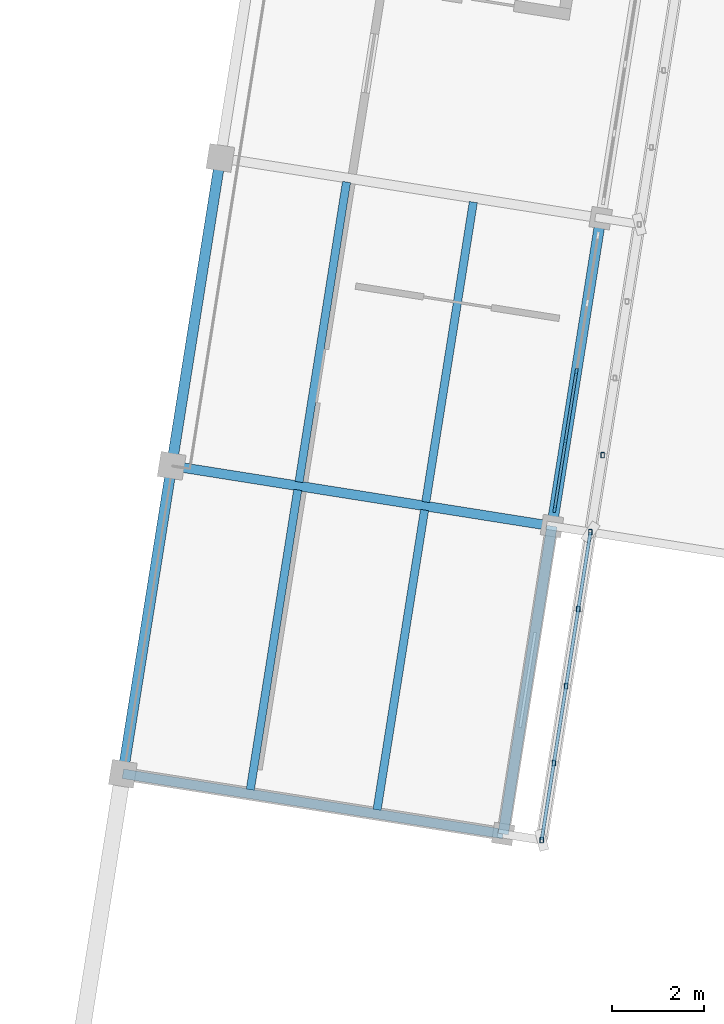
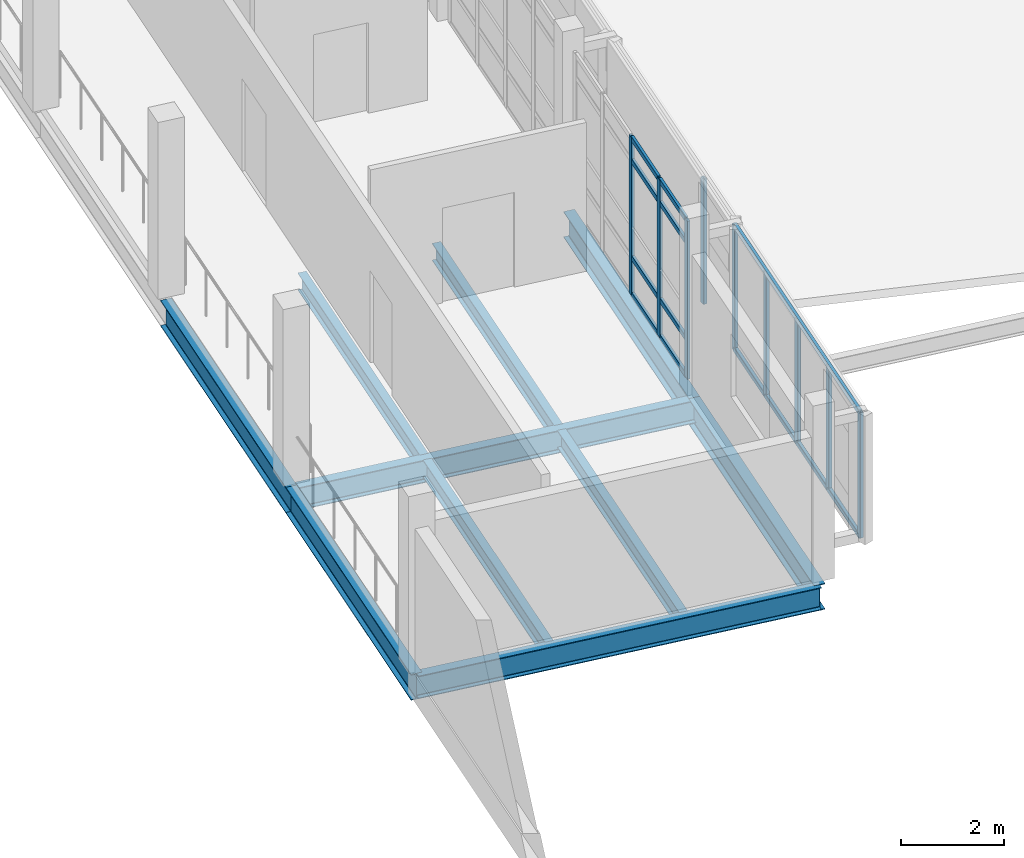
# One storey, part 79 of 137: 19 members, 10 beams, 1 element without a shape of its own.
"""IFC4 building model written with IfcOpenShell, lengths in metres."""

import ifcopenshell
import ifcopenshell.guid

model = None  # the IFC model being written
_history = None  # IfcOwnerHistory: only IFC2X3 demands one
_inside = {}  # id of a spatial element -> (the spatial element, [elements in it])
_under = {}  # id of a project, library or spatial element -> (it, [spatial elements below it])
_declared = {}  # id of a project -> (the project, [libraries it declares])
_typed = {}  # id of a type object -> (the type object, [elements of that type])
_made_of = {}  # id of a material, layer set ... -> (it, [elements and type objects made of it])


def new_model(schema):
    """Start an empty IFC model of exactly this schema.

    Asked for "IFC4X3", IfcOpenShell would pick the latest addendum, in which some entities
    have other attributes; the version numbers below select the first issue.
    IFC2X3 requires an IfcOwnerHistory on every rooted entity: one is made here for all.
    """
    global model, _history
    if schema == "IFC4X3":
        model = ifcopenshell.file(schema_version=(4, 3, 0, 0))
    else:
        model = ifcopenshell.file(schema=schema)
    _inside.clear()
    _under.clear()
    _declared.clear()
    _typed.clear()
    _made_of.clear()
    _history = None
    if model.schema == "IFC2X3":
        org = make("IfcOrganization", Name="unknown")
        user = make(
            "IfcPersonAndOrganization",
            ThePerson=make("IfcPerson", FamilyName="unknown"),
            TheOrganization=org,
        )
        app = make(
            "IfcApplication",
            ApplicationDeveloper=org,
            Version="unknown",
            ApplicationFullName="unknown",
            ApplicationIdentifier="unknown",
        )
        _history = make(
            "IfcOwnerHistory",
            OwningUser=user,
            OwningApplication=app,
            ChangeAction="ADDED",
            CreationDate=0,
        )
    return model


def make(cls, **values):
    """One entity of the class cls with the attributes given. An attribute that is None is left unset."""
    return model.create_entity(
        cls, **{name: value for name, value in values.items() if value is not None}
    )


def rooted(cls, **values):
    """An entity with a GlobalId (a new one), such as an element, a storey or a relation."""
    return make(cls, GlobalId=ifcopenshell.guid.new(), OwnerHistory=_history, **values)


def si_unit(unit_type, name, prefix=None):
    """IfcSIUnit, for example si_unit("LENGTHUNIT", "METRE", prefix="MILLI")."""
    return make("IfcSIUnit", UnitType=unit_type, Prefix=prefix, Name=name)


def assignment(units):
    """IfcUnitAssignment: the units of a project."""
    return None if units is None else make("IfcUnitAssignment", Units=units)


def point(xyz):
    """IfcCartesianPoint."""
    return None if xyz is None else make("IfcCartesianPoint", Coordinates=xyz)


def direction(xyz):
    """IfcDirection."""
    return None if xyz is None else make("IfcDirection", DirectionRatios=xyz)


def frame(location, z_axis=None, x_axis=None):
    """IfcAxis2Placement3D, a coordinate frame: its origin and axes. An axis left out is left unset."""
    return make(
        "IfcAxis2Placement3D",
        Location=point(location),
        Axis=direction(z_axis),
        RefDirection=direction(x_axis),
    )


def frame_2d(location, x_axis=None):
    """IfcAxis2Placement2D, a coordinate frame in the plane: its origin and x axis."""
    return make(
        "IfcAxis2Placement2D", Location=point(location), RefDirection=direction(x_axis)
    )


def origin():
    """The frame at (0, 0, 0) with its axes left unset."""
    return frame((0.0, 0.0, 0.0))


def origin_2d():
    """The frame at (0, 0) in the plane with its x axis left unset."""
    return frame_2d((0.0, 0.0))


def place(relative_to, where):
    """IfcLocalPlacement: puts the frame where relative to a parent placement (None: the world)."""
    return make(
        "IfcLocalPlacement", PlacementRelTo=relative_to, RelativePlacement=where
    )


def context(
    kind, dimensions, precision=None, world=None, true_north=None, identifier=None
):
    """IfcGeometricRepresentationContext, for example the 3D "Model" context."""
    return make(
        "IfcGeometricRepresentationContext",
        ContextIdentifier=identifier,
        ContextType=kind,
        CoordinateSpaceDimension=dimensions,
        Precision=precision,
        WorldCoordinateSystem=world,
        TrueNorth=true_north,
    )


def subcontext(parent, identifier, kind, view, scale=None):
    """IfcGeometricRepresentationSubContext, for example "Body" below "Model"."""
    return make(
        "IfcGeometricRepresentationSubContext",
        ContextIdentifier=identifier,
        ContextType=kind,
        ParentContext=parent,
        TargetScale=scale,
        TargetView=view,
    )


def project(units=None, contexts=None):
    """IfcProject with its units and contexts."""
    return rooted(
        "IfcProject",
        Name="project",
        RepresentationContexts=contexts,
        UnitsInContext=assignment(units),
    )


def spatial(cls, under=None, at=None, **own):
    """A site, building, storey or space (cls), placed at a placement, below another one or the project."""
    s = rooted(cls, ObjectPlacement=at, **own)
    if under is not None:
        _under.setdefault(under.id(), (under, []))[1].append(s)
    return s


def profile(cls, at=None, kind="AREA", **sizes):
    """A parametric profile (cls). Its sizes go by their IFC names, for example OverallWidth=200.0."""
    return make(cls, ProfileType=kind, Position=at, **sizes)


def rectangle(**sizes):
    """IfcRectangleProfileDef."""
    return profile("IfcRectangleProfileDef", **sizes)


def hollow_rectangle(**sizes):
    """IfcRectangleHollowProfileDef."""
    return profile("IfcRectangleHollowProfileDef", **sizes)


def i_section(**sizes):
    """IfcIShapeProfileDef."""
    return profile("IfcIShapeProfileDef", **sizes)


def extrude(swept, where, along, depth):
    """IfcExtrudedAreaSolid: the profile swept, set in the frame where, extruded along a direction by depth."""
    return make(
        "IfcExtrudedAreaSolid",
        SweptArea=swept,
        Position=where,
        ExtrudedDirection=direction(along),
        Depth=depth,
    )


def shape(context_of_items, identifier, shape_type, items):
    """IfcShapeRepresentation: the items that make up one representation, for example the "Body"."""
    return make(
        "IfcShapeRepresentation",
        ContextOfItems=context_of_items,
        RepresentationIdentifier=identifier,
        RepresentationType=shape_type,
        Items=items,
    )


def material(Name=None, Category=None):
    """IfcMaterial."""
    return make("IfcMaterial", Name=Name, Category=Category)


def material_profile(
    of_material, cross_section, Name=None, Category=None, Priority=None
):
    """IfcMaterialProfile: a cross section and its material."""
    return make(
        "IfcMaterialProfile",
        Name=Name,
        Material=of_material,
        Profile=cross_section,
        Priority=Priority,
        Category=Category,
    )


def profile_set(profiles, Name=None, composite=None):
    """IfcMaterialProfileSet."""
    return make(
        "IfcMaterialProfileSet",
        Name=Name,
        MaterialProfiles=profiles,
        CompositeProfile=composite,
    )


def made_of(thing, what):
    """Note that an element or type object is made of a material, layer set ...; save() writes the relation."""
    if what is not None:
        _made_of.setdefault(what.id(), (what, []))[1].append(thing)
    return thing


def type_object(cls, material=None, **own):
    """A type object (cls), such as IfcWallType, which elements share."""
    return made_of(rooted(cls, **own), material)


def element(
    cls,
    number,
    at=None,
    inside=None,
    cuts=None,
    type_object=None,
    material=None,
    context=None,
    identifier="Body",
    shape_type=None,
    held_by="IfcProductDefinitionShape",
    body=None,
    shapes=None,
    **own,
):
    """One element of the class cls, such as IfcWall. Its Tag is "e" and its number.

    at: its placement. inside: the storey or other place that contains it. cuts: it is an
    opening in that element (IfcRelVoidsElement). A single representation is given by context,
    identifier, shape_type and body (its items); several are given by shapes. held_by: the class
    of the entity that holds the representations. save() writes the other relations.
    """
    e = rooted(cls, Tag="e%d" % number, ObjectPlacement=at, **own)
    if body is not None:
        shapes = [shape(context, identifier, shape_type, body)]
    if shapes is not None:
        e.Representation = make(held_by, Representations=shapes)
    if inside is not None:
        _inside.setdefault(inside.id(), (inside, []))[1].append(e)
    if cuts is not None:
        rooted(
            "IfcRelVoidsElement", RelatingBuildingElement=cuts, RelatedOpeningElement=e
        )
    if type_object is not None:
        _typed.setdefault(type_object.id(), (type_object, []))[1].append(e)
    return made_of(e, material)


def aggregate(whole, parts):
    """IfcRelAggregates: a whole, such as a stair, and the parts it consists of."""
    return rooted("IfcRelAggregates", RelatingObject=whole, RelatedObjects=parts)


def save(model, path):
    """Write the relations noted so far, then the file.

    IfcRelAggregates (storeys below a building ...), IfcRelContainedInSpatialStructure (elements
    in a storey), IfcRelDefinesByType, IfcRelAssociatesMaterial and IfcRelDeclares: one each for
    every whole, place, type object, material and project.
    """
    for whole, parts in _under.values():
        aggregate(whole, parts)
    for where, things in _inside.values():
        rooted(
            "IfcRelContainedInSpatialStructure",
            RelatedElements=things,
            RelatingStructure=where,
        )
    for kind, things in _typed.values():
        rooted("IfcRelDefinesByType", RelatedObjects=things, RelatingType=kind)
    for what, things in _made_of.values():
        rooted("IfcRelAssociatesMaterial", RelatedObjects=things, RelatingMaterial=what)
    for by, libraries in _declared.values():
        rooted("IfcRelDeclares", RelatingContext=by, RelatedDefinitions=libraries)
    model.write(path)


model = new_model("IFC4")

# Units and contexts
model_context = context("Model", 3, precision=1e-05, world=origin(), true_north=direction((0.0, 1.0)))
body_context = subcontext(model_context, "Body", "Model", "MODEL_VIEW")
ifc_project = project(units=[si_unit("LENGTHUNIT", "METRE"), si_unit("AREAUNIT", "SQUARE_METRE"), si_unit("VOLUMEUNIT", "CUBIC_METRE"), si_unit("PLANEANGLEUNIT", "RADIAN"), si_unit("MASSUNIT", "GRAM", prefix="KILO")], contexts=[model_context])

# Site, building, storey
site_placement = place(None, origin())
site = spatial("IfcSite", under=ifc_project, at=site_placement, CompositionType="ELEMENT")
building_placement = place(site_placement, origin())
building = spatial("IfcBuilding", under=site, at=building_placement, Name="Cinderway Yard Community Centre", CompositionType="ELEMENT")
storey_placement = place(building_placement, frame((0.0, 0.0, 4.800048828125)))
storey = spatial("IfcBuildingStorey", under=building, at=storey_placement, Name="L01", CompositionType="ELEMENT", Elevation=4.800048828125)

# Curtain wall, members
ifc_material_1 = material(Name="Aluminium 6063-T6", Category="aluminium")
curtain_wall_type = type_object("IfcCurtainWallType", Name="ENV-CW-TYPE-16", PredefinedType="USERDEFINED", material=ifc_material_1)
curtain_wall_placement = place(storey_placement, origin())
curtain_wall = element("IfcCurtainWall", 1, at=curtain_wall_placement, inside=storey, type_object=curtain_wall_type, Name="Fitness East Curtain Wall ENV-CW-L01-ST-0058", ObjectType="GLAZED CURTAIN WALL", PredefinedType="USERDEFINED")
ifc_material_profile_1 = material_profile(ifc_material_1, rectangle(XDim=0.06005859375, YDim=0.159912109375, at=origin_2d()), Name="Aluminium 6063-T6")
ifc_profile_set_1 = profile_set([ifc_material_profile_1], Name="Aluminium 6063-T6")
member_type_1 = type_object("IfcMemberType", Name="ENV-CW-MULL-150", PredefinedType="MULLION", material=ifc_profile_set_1)
member_1_placement = place(storey_placement, frame((149.817626953125, 47.11572265625, 0.0), z_axis=(0.0, 0.0, 1.0), x_axis=(-0.987691073089, 0.156417211778, 0.0)))
member_1 = element("IfcMember", 2, at=member_1_placement, type_object=member_type_1, Name="CW-16 mullion 1", PredefinedType="MULLION", context=body_context, shape_type="SweptSolid", body=[
    extrude(rectangle(XDim=0.06005859375, YDim=0.159912109375, at=origin_2d()), origin(), (0.0, 0.0, 1.0), 3.75),
])
member_2_placement = place(storey_placement, frame((150.051513671875, 48.592041015625, 0.0), z_axis=(0.0, 0.0, 1.0), x_axis=(-0.987691073089, 0.156417211778, 0.0)))
member_2 = element("IfcMember", 3, at=member_2_placement, type_object=member_type_1, Name="CW-16 mullion 2", PredefinedType="MULLION", context=body_context, shape_type="SweptSolid", body=[
    extrude(rectangle(XDim=0.06005859375, YDim=0.159912109375, at=origin_2d()), origin(), (0.0, 0.0, 1.0), 3.75),
])
member_3_placement = place(storey_placement, frame((150.2900390625, 50.097900390625, 0.0), z_axis=(0.0, 0.0, 1.0), x_axis=(-0.987691073089, 0.156417211778, 0.0)))
member_3 = element("IfcMember", 4, at=member_3_placement, type_object=member_type_1, Name="CW-16 mullion 3", PredefinedType="MULLION", context=body_context, shape_type="SweptSolid", body=[
    extrude(rectangle(XDim=0.06005859375, YDim=0.159912109375, at=origin_2d()), origin(), (0.0, 0.0, 1.0), 3.75),
])
ifc_material_profile_2 = material_profile(ifc_material_1, rectangle(XDim=0.06005859375, YDim=0.1201171875, at=origin_2d()), Name="Aluminium 6063-T6")
ifc_profile_set_2 = profile_set([ifc_material_profile_2], Name="Aluminium 6063-T6")
member_type_2 = type_object("IfcMemberType", Name="ENV-CW-TRAN-110", PredefinedType="USERDEFINED", material=ifc_profile_set_2)
member_4_placement = place(storey_placement, frame((149.822265625, 47.145263671875, 0.030029296875), z_axis=(0.156556761869, 0.987668962919, 0.0), x_axis=(-0.987668962919, 0.156556761869, 0.0)))
member_4 = element("IfcMember", 5, at=member_4_placement, type_object=member_type_2, Name="CW-16 transom 1.1", ObjectType="TRANSOM", PredefinedType="USERDEFINED", context=body_context, shape_type="SweptSolid", body=[
    extrude(rectangle(XDim=0.06005859375, YDim=0.1201171875, at=origin_2d()), origin(), (0.0, 0.0, 1.0), 1.4345703125),
])
member_5_placement = place(storey_placement, frame((149.822265625, 47.145263671875, 0.89990234375), z_axis=(0.156556761869, 0.987668962919, 0.0), x_axis=(-0.987668962919, 0.156556761869, 0.0)))
member_5 = element("IfcMember", 6, at=member_5_placement, type_object=member_type_2, Name="CW-16 transom 1.2", ObjectType="TRANSOM", PredefinedType="USERDEFINED", context=body_context, shape_type="SweptSolid", body=[
    extrude(rectangle(XDim=0.06005859375, YDim=0.1201171875, at=origin_2d()), origin(), (0.0, 0.0, 1.0), 1.4345703125),
])
member_6_placement = place(storey_placement, frame((149.822265625, 47.145263671875, 3.199951171875), z_axis=(0.156556761869, 0.987668962919, 0.0), x_axis=(-0.987668962919, 0.156556761869, 0.0)))
member_6 = element("IfcMember", 7, at=member_6_placement, type_object=member_type_2, Name="CW-16 transom 1.3", ObjectType="TRANSOM", PredefinedType="USERDEFINED", context=body_context, shape_type="SweptSolid", body=[
    extrude(rectangle(XDim=0.06005859375, YDim=0.1201171875, at=origin_2d()), origin(), (0.0, 0.0, 1.0), 1.4345703125),
])
member_7_placement = place(storey_placement, frame((149.822265625, 47.145263671875, 3.719970703125), z_axis=(0.156556761869, 0.987668962919, 0.0), x_axis=(-0.987668962919, 0.156556761869, 0.0)))
member_7 = element("IfcMember", 8, at=member_7_placement, type_object=member_type_2, Name="CW-16 transom 1.4", ObjectType="TRANSOM", PredefinedType="USERDEFINED", context=body_context, shape_type="SweptSolid", body=[
    extrude(rectangle(XDim=0.06005859375, YDim=0.1201171875, at=origin_2d()), origin(), (0.0, 0.0, 1.0), 1.4345703125),
])
member_8_placement = place(storey_placement, frame((150.05615234375, 48.62158203125, 0.030029296875), z_axis=(0.156501745439, 0.987677682078, 0.0), x_axis=(-0.987677682078, 0.156501745439, 0.0)))
member_8 = element("IfcMember", 9, at=member_8_placement, type_object=member_type_2, Name="CW-16 transom 2.1", ObjectType="TRANSOM", PredefinedType="USERDEFINED", context=body_context, shape_type="SweptSolid", body=[
    extrude(rectangle(XDim=0.06005859375, YDim=0.1201171875, at=origin_2d()), origin(), (0.0, 0.0, 1.0), 1.46484375),
])
member_9_placement = place(storey_placement, frame((150.05615234375, 48.62158203125, 0.89990234375), z_axis=(0.156501745439, 0.987677682078, 0.0), x_axis=(-0.987677682078, 0.156501745439, 0.0)))
member_9 = element("IfcMember", 10, at=member_9_placement, type_object=member_type_2, Name="CW-16 transom 2.2", ObjectType="TRANSOM", PredefinedType="USERDEFINED", context=body_context, shape_type="SweptSolid", body=[
    extrude(rectangle(XDim=0.06005859375, YDim=0.1201171875, at=origin_2d()), origin(), (0.0, 0.0, 1.0), 1.46484375),
])
member_10_placement = place(storey_placement, frame((150.05615234375, 48.62158203125, 3.199951171875), z_axis=(0.156501745439, 0.987677682078, 0.0), x_axis=(-0.987677682078, 0.156501745439, 0.0)))
member_10 = element("IfcMember", 11, at=member_10_placement, type_object=member_type_2, Name="CW-16 transom 2.3", ObjectType="TRANSOM", PredefinedType="USERDEFINED", context=body_context, shape_type="SweptSolid", body=[
    extrude(rectangle(XDim=0.06005859375, YDim=0.1201171875, at=origin_2d()), origin(), (0.0, 0.0, 1.0), 1.46484375),
])
member_11_placement = place(storey_placement, frame((150.05615234375, 48.62158203125, 3.719970703125), z_axis=(0.156501745439, 0.987677682078, 0.0), x_axis=(-0.987677682078, 0.156501745439, 0.0)))
member_11 = element("IfcMember", 12, at=member_11_placement, type_object=member_type_2, Name="CW-16 transom 2.4", ObjectType="TRANSOM", PredefinedType="USERDEFINED", context=body_context, shape_type="SweptSolid", body=[
    extrude(rectangle(XDim=0.06005859375, YDim=0.1201171875, at=origin_2d()), origin(), (0.0, 0.0, 1.0), 1.46484375),
])
aggregate(curtain_wall, [member_1, member_2, member_3, member_4, member_5, member_6, member_7, member_8, member_9, member_10, member_11])

# Members
ifc_material_2 = material(Name="Steel S355", Category="steel")
ifc_material_profile_3 = material_profile(ifc_material_2, hollow_rectangle(XDim=0.080078125, YDim=0.1201171875, WallThickness=0.00634765625, InnerFilletRadius=0.00634765625, OuterFilletRadius=0.0126953125, at=origin_2d()), Name="Steel S355")
ifc_profile_set_3 = profile_set([ifc_material_profile_3], Name="Steel S355")
member_type_3 = type_object("IfcMemberType", Name="ENV-MEM-SCREEN-RAIL-120", PredefinedType="STRINGER", material=ifc_profile_set_3)
for number, where, z_axis, x_axis, name in (
    (13, (149.533935546875, 39.889892578125, 0.7099609375), (0.156447383815, 0.987686294376, 0.0), (-0.987686294376, 0.156447383815, 0.0), "Screen support rail 1011-BOT"),
    (14, (149.533935546875, 39.889892578125, 3.639892578125), (0.156447383815, 0.987686294376, 0.0), (-0.987686294376, 0.156447383815, 0.0), "Screen support rail 1012-TOP"),
):
    element("IfcMember", number, at=place(storey_placement, frame(where, z_axis=z_axis, x_axis=x_axis)), inside=storey, type_object=member_type_3, Name=name, PredefinedType="STRINGER", context=body_context, shape_type="SweptSolid", body=[
        extrude(hollow_rectangle(XDim=0.080078125, YDim=0.1201171875, WallThickness=0.00634765625, InnerFilletRadius=0.00634765625, OuterFilletRadius=0.0126953125, at=origin_2d()), origin(), (0.0, 0.0, 1.0), 6.80078125),
    ])
for number, where, z_axis, x_axis, name in (
    (15, (149.533935546875, 39.889892578125, 0.68994140625), (0.0, 0.0, 1.0), (1.0, 0.0, 0.0), "Screen vertical mullion 1013"),
    (16, (149.800048828125, 41.569091796875, 0.68994140625), (0.0, 0.0, 1.0), (1.0, 0.0, 0.0), "Screen vertical mullion 1014"),
    (17, (150.06591796875, 43.248046875, 0.68994140625), (0.0, 0.0, 1.0), (1.0, 0.0, 0.0), "Screen vertical mullion 1015"),
    (18, (150.33203125, 44.927978515625, 0.68994140625), (0.0, 0.0, 1.0), (1.0, 0.0, 0.0), "Screen vertical mullion 1016"),
    (19, (150.597900390625, 46.60693359375, 0.68994140625), (0.0, 0.0, 1.0), (1.0, 0.0, 0.0), "Screen vertical mullion 1017"),
    (20, (150.864013671875, 48.285888671875, 0.68994140625), (0.0, 0.0, 1.0), (1.0, 0.0, 0.0), "Screen vertical mullion 1021"),
):
    element("IfcMember", number, at=place(storey_placement, frame(where, z_axis=z_axis, x_axis=x_axis)), inside=storey, type_object=member_type_3, Name=name, PredefinedType="STRINGER", context=body_context, shape_type="SweptSolid", body=[
        extrude(hollow_rectangle(XDim=0.080078125, YDim=0.1201171875, WallThickness=0.00634765625, InnerFilletRadius=0.00634765625, OuterFilletRadius=0.0126953125, at=origin_2d()), origin(), (0.0, 0.0, 1.0), 2.969970703125),
    ])

# Beams
ifc_material_profile_4 = material_profile(ifc_material_2, i_section(OverallWidth=0.178955078125, OverallDepth=0.409912109375, WebThickness=0.0087890625, FlangeThickness=0.013427734375, FilletRadius=0.011962890625, at=origin_2d()), Name="Steel S355")
ifc_profile_set_4 = profile_set([ifc_material_profile_4], Name="Steel S355")
beam_type_1 = type_object("IfcBeamType", Name="STR-BM-W410X67", PredefinedType="JOIST", material=ifc_profile_set_4)
for number, where, z_axis, x_axis, name in (
    (21, (143.177001953125, 40.986083984375, -0.445068359375), (0.156373237585, 0.987698036126, 0.0), (-0.987698036126, 0.156373237585, 0.0), "Secondary joist STR-BM-L01-SJ02-0094"),
    (22, (145.943115234375, 40.548095703125, -0.445068359375), (0.156373237585, 0.987698036126, 0.0), (-0.987698036126, 0.156373237585, 0.0), "Secondary joist STR-BM-L01-SJ02-0095"),
):
    element("IfcBeam", number, at=place(storey_placement, frame(where, z_axis=z_axis, x_axis=x_axis)), inside=storey, type_object=beam_type_1, Name=name, PredefinedType="JOIST", context=body_context, shape_type="SweptSolid", body=[
        extrude(i_section(OverallWidth=0.178955078125, OverallDepth=0.409912109375, WebThickness=0.0087890625, FlangeThickness=0.013427734375, FilletRadius=0.011962890625, at=origin_2d()), origin(), (0.0, 0.0, 1.0), 6.62451171875),
    ])
beam_1_placement = place(storey_placement, frame((144.240966796875, 47.701904296875, -0.445068359375), z_axis=(0.156403497309, 0.987693244904, 0.0), x_axis=(-0.987693244904, 0.156403497309, 0.0)))
element("IfcBeam", 23, at=beam_1_placement, inside=storey, type_object=beam_type_1, Name="Secondary joist STR-BM-L01-SJ02-0096", PredefinedType="JOIST", context=body_context, shape_type="SweptSolid", body=[
    extrude(i_section(OverallWidth=0.178955078125, OverallDepth=0.409912109375, WebThickness=0.0087890625, FlangeThickness=0.013427734375, FilletRadius=0.011962890625, at=origin_2d()), origin(), (0.0, 0.0, 1.0), 6.624755859375),
])
beam_2_placement = place(storey_placement, frame((147.006103515625, 47.263916015625, -0.445068359375), z_axis=(0.156517045486, 0.987675257599, 0.0), x_axis=(-0.987675257599, 0.156517045486, 0.0)))
element("IfcBeam", 24, at=beam_2_placement, inside=storey, type_object=beam_type_1, Name="Secondary joist STR-BM-L01-SJ02-0097", PredefinedType="JOIST", context=body_context, shape_type="SweptSolid", body=[
    extrude(i_section(OverallWidth=0.178955078125, OverallDepth=0.409912109375, WebThickness=0.0087890625, FlangeThickness=0.013427734375, FilletRadius=0.011962890625, at=origin_2d()), origin(), (0.0, 0.0, 1.0), 6.62451171875),
])
ifc_material_profile_5 = material_profile(ifc_material_2, i_section(OverallWidth=0.2109375, OverallDepth=0.5390625, WebThickness=0.010986328125, FlangeThickness=0.017333984375, FilletRadius=0.013916015625, at=origin_2d()), Name="Steel S355")
ifc_profile_set_5 = profile_set([ifc_material_profile_5], Name="Steel S355")
beam_type_2 = type_object("IfcBeamType", Name="STR-BM-W530X109", PredefinedType="BEAM", material=ifc_profile_set_5)
for number, where, z_axis, x_axis, name in (
    (25, (140.39794921875, 41.3369140625, -0.510009765625), (0.987688617534, -0.156432716505, 0.0), (0.156432716505, 0.987688617534, 0.0), "Primary girder STR-BM-L01-SB06-0082"),
    (26, (141.4619140625, 48.053955078125, -0.510009765625), (0.987688617534, -0.156432716505, 0.0), (0.156432716505, 0.987688617534, 0.0), "Primary girder STR-BM-L01-SB06-0083"),
):
    element("IfcBeam", number, at=place(storey_placement, frame(where, z_axis=z_axis, x_axis=x_axis)), inside=storey, type_object=beam_type_2, Name=name, PredefinedType="BEAM", context=body_context, shape_type="SweptSolid", body=[
        extrude(i_section(OverallWidth=0.2109375, OverallDepth=0.5390625, WebThickness=0.010986328125, FlangeThickness=0.017333984375, FilletRadius=0.013916015625, at=origin_2d()), origin(), (0.0, 0.0, 1.0), 8.399658203125),
    ])
ifc_material_profile_6 = material_profile(ifc_material_2, i_section(OverallWidth=0.22998046875, OverallDepth=0.616943359375, WebThickness=0.011962890625, FlangeThickness=0.01953125, FilletRadius=0.01611328125, at=origin_2d()), Name="Steel S355")
ifc_profile_set_6 = profile_set([ifc_material_profile_6], Name="Steel S355")
beam_type_3 = type_object("IfcBeamType", Name="STR-BM-W610X140", PredefinedType="BEAM", material=ifc_profile_set_6)
beam_3_placement = place(storey_placement, frame((140.39794921875, 41.3369140625, -0.548095703125), z_axis=(0.156447383815, 0.987686294376, 0.0), x_axis=(-0.987686294376, 0.156447383815, 0.0)))
element("IfcBeam", 27, at=beam_3_placement, inside=storey, type_object=beam_type_3, Name="Transverse girder STR-BM-L01-SB05-0086", PredefinedType="BEAM", context=body_context, shape_type="SweptSolid", body=[
    extrude(i_section(OverallWidth=0.22998046875, OverallDepth=0.616943359375, WebThickness=0.011962890625, FlangeThickness=0.01953125, FilletRadius=0.01611328125, at=origin_2d()), origin(), (0.0, 0.0, 1.0), 6.80078125),
])
beam_4_placement = place(storey_placement, frame((141.4619140625, 48.053955078125, -0.548095703125), z_axis=(0.156329470887, 0.987704964315, 0.0), x_axis=(-0.987704964315, 0.156329470887, 0.0)))
element("IfcBeam", 28, at=beam_4_placement, inside=storey, type_object=beam_type_3, Name="Transverse girder STR-BM-L01-SB05-0087", PredefinedType="BEAM", context=body_context, shape_type="SweptSolid", body=[
    extrude(i_section(OverallWidth=0.22998046875, OverallDepth=0.616943359375, WebThickness=0.011962890625, FlangeThickness=0.01953125, FilletRadius=0.01611328125, at=origin_2d()), origin(), (0.0, 0.0, 1.0), 6.799560546875),
])
beam_5_placement = place(storey_placement, frame((148.694091796875, 40.02294921875, -0.548095703125), z_axis=(0.156447383815, 0.987686294376, 0.0), x_axis=(-0.987686294376, 0.156447383815, 0.0)))
element("IfcBeam", 29, at=beam_5_placement, inside=storey, type_object=beam_type_3, Name="Transverse girder STR-BM-L01-SB05-0090", PredefinedType="BEAM", context=body_context, shape_type="SweptSolid", body=[
    extrude(i_section(OverallWidth=0.22998046875, OverallDepth=0.616943359375, WebThickness=0.011962890625, FlangeThickness=0.01953125, FilletRadius=0.01611328125, at=origin_2d()), origin(), (0.0, 0.0, 1.0), 6.80078125),
])
beam_6_placement = place(storey_placement, frame((149.758056640625, 46.739990234375, -0.548095703125), z_axis=(0.156469575446, 0.987682779013, 0.0), x_axis=(-0.987682779013, 0.156469575446, 0.0)))
element("IfcBeam", 30, at=beam_6_placement, inside=storey, type_object=beam_type_3, Name="Transverse girder STR-BM-L01-SB05-0091", PredefinedType="BEAM", context=body_context, shape_type="SweptSolid", body=[
    extrude(i_section(OverallWidth=0.22998046875, OverallDepth=0.616943359375, WebThickness=0.011962890625, FlangeThickness=0.01953125, FilletRadius=0.01611328125, at=origin_2d()), origin(), (0.0, 0.0, 1.0), 6.7998046875),
])

save(model, "model.ifc")
